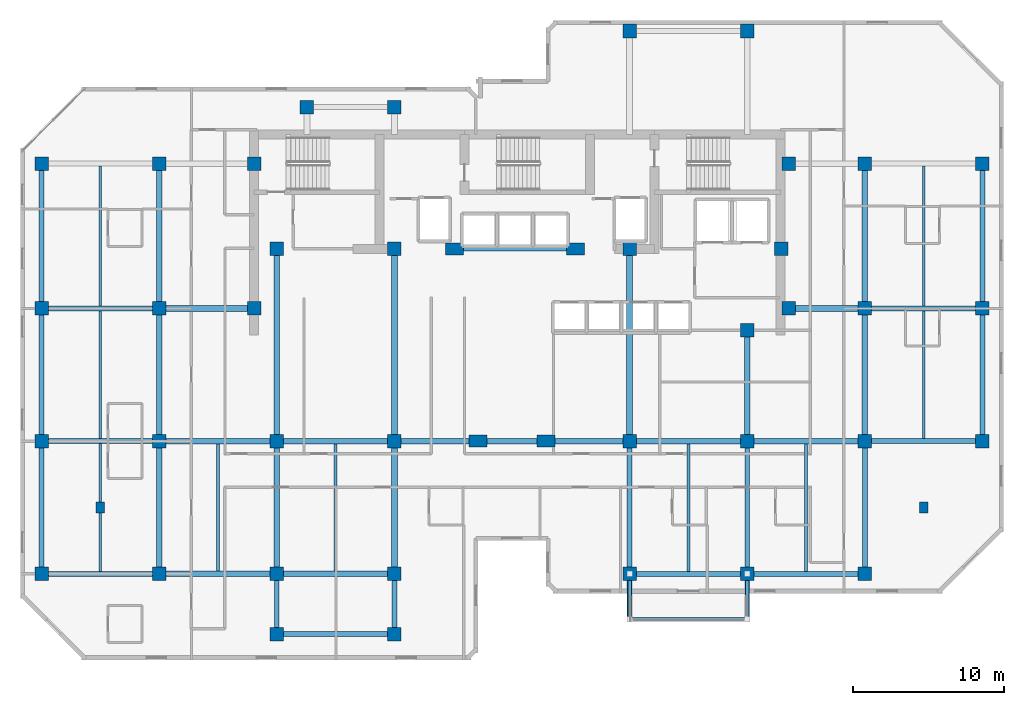
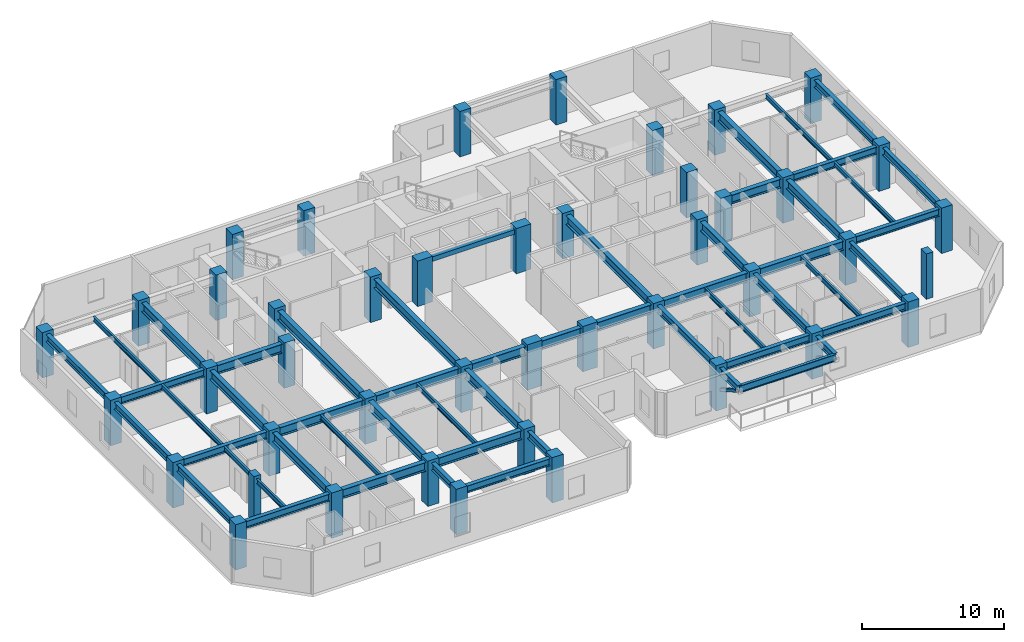
# One storey, part 1 of 11: 53 beams, 44 columns, 2 members.
"""IFC4 building model written with IfcOpenShell, lengths in metres."""

from ifc_helpers import new_model, si_unit, direction, frame, origin, origin_2d, place, context, subcontext, project, spatial, rectangle, hollow_rectangle, i_section, extrude, material, material_profile, profile_set, type_object, element, save


model = new_model("IFC4")

# Units and contexts
model_context = context("Model", 3, precision=1e-05, world=origin(), true_north=direction((0.0, 1.0)))
body_context = subcontext(model_context, "Body", "Model", "MODEL_VIEW")
ifc_project = project(units=[si_unit("LENGTHUNIT", "METRE"), si_unit("AREAUNIT", "SQUARE_METRE"), si_unit("VOLUMEUNIT", "CUBIC_METRE"), si_unit("PLANEANGLEUNIT", "RADIAN"), si_unit("MASSUNIT", "GRAM", prefix="KILO")], contexts=[model_context])

# Site, building, storey
site_placement = place(None, origin())
site = spatial("IfcSite", under=ifc_project, at=site_placement, CompositionType="ELEMENT")
building_placement = place(site_placement, origin())
building = spatial("IfcBuilding", under=site, at=building_placement, Name="Kestravale Grand Hotel", CompositionType="ELEMENT")
storey_placement = place(building_placement, frame((0.0, 0.0, 192.89990234375)))
storey = spatial("IfcBuildingStorey", under=building, at=storey_placement, Name="L48", CompositionType="ELEMENT", Elevation=192.89990234375)

# Columns
ifc_material_1 = material(Name="Concrete f'c 60 MPa", Category="concrete")
ifc_material_profile_1 = material_profile(ifc_material_1, rectangle(XDim=1.199951171875, YDim=0.800048828125, at=origin_2d()))
ifc_profile_set_1 = profile_set([ifc_material_profile_1], Name="Concrete f'c 60 MPa")
column_type_1 = type_object("IfcColumnType", Name="C-Z3-1200X800", PredefinedType="COLUMN", material=ifc_profile_set_1)
for number, where, z_axis, x_axis, name in (
    (1, (36.75, 20.0, 0.0), (0.0, 0.0, 1.0), (1.0, 0.0, 0.0), "L48 column 6-D"),
    (2, (41.25, 20.0, 0.0), (0.0, 0.0, 1.0), (1.0, 0.0, 0.0), "L48 column 7-D"),
    (3, (35.199951171875, 32.75, 0.0), (0.0, 0.0, 1.0), (1.0, 0.0, 0.0), "L48 column 6C-CS"),
    (4, (43.199951171875, 32.75, 0.0), (0.0, 0.0, 1.0), (1.0, 0.0, 0.0), "L48 column 7C-CS"),
):
    element("IfcColumn", number, at=place(storey_placement, frame(where, z_axis=z_axis, x_axis=x_axis)), inside=storey, type_object=column_type_1, Name=name, PredefinedType="COLUMN", context=body_context, shape_type="SweptSolid", body=[
        extrude(rectangle(XDim=1.199951171875, YDim=0.800048828125, at=origin_2d()), origin(), (0.0, 0.0, 1.0), 3.900146484375),
    ])
ifc_material_2 = material(Name="Precast concrete f'c 45 MPa", Category="concrete")
ifc_material_profile_2 = material_profile(ifc_material_2, rectangle(XDim=0.550048828125, YDim=0.75, at=origin_2d()))
ifc_profile_set_2 = profile_set([ifc_material_profile_2], Name="Precast concrete f'c 45 MPa")
column_type_2 = type_object("IfcColumnType", Name="C-Z3-PIL750", PredefinedType="PILASTER", material=ifc_profile_set_2)
for number, where, z_axis, x_axis, name in (
    (5, (11.699951171875, 15.60009765625, 0.0), (0.0, 0.0, 1.0), (1.0, 0.0, 0.0), "L48 Art Deco fluted pilaster P1"),
    (6, (66.300048828125, 15.60009765625, 0.0), (0.0, 0.0, 1.0), (1.0, 0.0, 0.0), "L48 Art Deco fluted pilaster P2"),
):
    element("IfcColumn", number, at=place(storey_placement, frame(where, z_axis=z_axis, x_axis=x_axis)), inside=storey, type_object=column_type_2, Name=name, PredefinedType="PILASTER", context=body_context, shape_type="SweptSolid", body=[
        extrude(rectangle(XDim=0.550048828125, YDim=0.75, at=origin_2d()), origin(), (0.0, 0.0, 1.0), 3.900146484375),
    ])
ifc_material_3 = material(Name="Concrete f'c 50 MPa", Category="concrete")
ifc_material_profile_3 = material_profile(ifc_material_3, rectangle(XDim=0.89990234375, YDim=0.89990234375, at=origin_2d()))
ifc_profile_set_3 = profile_set([ifc_material_profile_3], Name="Concrete f'c 50 MPa")
column_type_3 = type_object("IfcColumnType", Name="C-Z4-900", PredefinedType="COLUMN", material=ifc_profile_set_3)
for number, where, z_axis, x_axis, name in (
    (7, (7.800048828125, 11.199951171875, 0.0), (0.0, 0.0, 1.0), (1.0, 0.0, 0.0), "L48 column 2-C"),
    (8, (7.800048828125, 20.0, 0.0), (0.0, 0.0, 1.0), (1.0, 0.0, 0.0), "L48 column 2-D"),
    (9, (7.800048828125, 28.800048828125, 0.0), (0.0, 0.0, 1.0), (1.0, 0.0, 0.0), "L48 column 2-E"),
    (10, (7.800048828125, 38.39990234375, 0.0), (0.0, 0.0, 1.0), (1.0, 0.0, 0.0), "L48 column 2-F"),
    (11, (15.60009765625, 11.199951171875, 0.0), (0.0, 0.0, 1.0), (1.0, 0.0, 0.0), "L48 column 3-C"),
    (12, (15.60009765625, 20.0, 0.0), (0.0, 0.0, 1.0), (1.0, 0.0, 0.0), "L48 column 3-D"),
    (13, (15.60009765625, 28.800048828125, 0.0), (0.0, 0.0, 1.0), (1.0, 0.0, 0.0), "L48 column 3-E"),
    (14, (15.60009765625, 38.39990234375, 0.0), (0.0, 0.0, 1.0), (1.0, 0.0, 0.0), "L48 column 3-F"),
    (15, (23.39990234375, 11.199951171875, 0.0), (0.0, 0.0, 1.0), (1.0, 0.0, 0.0), "L48 column 4-C"),
    (16, (23.39990234375, 20.0, 0.0), (0.0, 0.0, 1.0), (1.0, 0.0, 0.0), "L48 column 4-D"),
    (17, (31.199951171875, 11.199951171875, 0.0), (0.0, 0.0, 1.0), (1.0, 0.0, 0.0), "L48 column 5-C"),
    (18, (31.199951171875, 20.0, 0.0), (0.0, 0.0, 1.0), (1.0, 0.0, 0.0), "L48 column 5-D"),
    (19, (46.800048828125, 11.199951171875, 0.0), (0.0, 0.0, 1.0), (1.0, 0.0, 0.0), "L48 column 8-C"),
    (20, (46.800048828125, 20.0, 0.0), (0.0, 0.0, 1.0), (1.0, 0.0, 0.0), "L48 column 8-D"),
    (21, (46.800048828125, 47.199951171875, 0.0), (0.0, 0.0, 1.0), (1.0, 0.0, 0.0), "L48 column 8-G"),
    (22, (54.60009765625, 11.199951171875, 0.0), (0.0, 0.0, 1.0), (1.0, 0.0, 0.0), "L48 column 9-C"),
    (23, (54.60009765625, 20.0, 0.0), (0.0, 0.0, 1.0), (1.0, 0.0, 0.0), "L48 column 9-D"),
    (24, (54.60009765625, 47.199951171875, 0.0), (0.0, 0.0, 1.0), (1.0, 0.0, 0.0), "L48 column 9-G"),
    (25, (62.39990234375, 11.199951171875, 0.0), (0.0, 0.0, 1.0), (1.0, 0.0, 0.0), "L48 column 10-C"),
    (26, (62.39990234375, 20.0, 0.0), (0.0, 0.0, 1.0), (1.0, 0.0, 0.0), "L48 column 10-D"),
    (27, (62.39990234375, 28.800048828125, 0.0), (0.0, 0.0, 1.0), (1.0, 0.0, 0.0), "L48 column 10-E"),
    (28, (62.39990234375, 38.39990234375, 0.0), (0.0, 0.0, 1.0), (1.0, 0.0, 0.0), "L48 column 10-F"),
    (29, (70.199951171875, 20.0, 0.0), (0.0, 0.0, 1.0), (1.0, 0.0, 0.0), "L48 column 11-D"),
    (30, (70.199951171875, 28.800048828125, 0.0), (0.0, 0.0, 1.0), (1.0, 0.0, 0.0), "L48 column 11-E"),
    (31, (70.199951171875, 38.39990234375, 0.0), (0.0, 0.0, 1.0), (1.0, 0.0, 0.0), "L48 column 11-F"),
    (32, (21.89990234375, 28.800048828125, 0.0), (0.0, 0.0, 1.0), (1.0, 0.0, 0.0), "L48 column CW-E"),
    (33, (21.89990234375, 38.39990234375, 0.0), (0.0, 0.0, 1.0), (1.0, 0.0, 0.0), "L48 column CW-F"),
    (34, (57.35009765625, 28.800048828125, 0.0), (0.0, 0.0, 1.0), (1.0, 0.0, 0.0), "L48 column CE-E"),
    (35, (57.35009765625, 38.39990234375, 0.0), (0.0, 0.0, 1.0), (1.0, 0.0, 0.0), "L48 column CE-F"),
    (36, (23.39990234375, 32.75, 0.0), (0.0, 0.0, 1.0), (1.0, 0.0, 0.0), "L48 column 4-CS"),
    (37, (31.199951171875, 32.75, 0.0), (0.0, 0.0, 1.0), (1.0, 0.0, 0.0), "L48 column 5-CS"),
    (38, (46.800048828125, 32.75, 0.0), (0.0, 0.0, 1.0), (1.0, 0.0, 0.0), "L48 column 8-CS"),
    (39, (54.60009765625, 27.35009765625, 0.0), (0.0, 0.0, 1.0), (1.0, 0.0, 0.0), "L48 column 9-CS"),
    (40, (56.85009765625, 32.75, 0.0), (0.0, 0.0, 1.0), (1.0, 0.0, 0.0), "L48 column 9C-CS"),
    (41, (23.39990234375, 7.199951171875, 0.0), (0.0, 0.0, 1.0), (1.0, 0.0, 0.0), "L48 column 4-BS"),
    (42, (31.199951171875, 7.199951171875, 0.0), (0.0, 0.0, 1.0), (1.0, 0.0, 0.0), "L48 column 5-BS"),
    (43, (25.39990234375, 42.14990234375, 0.0), (0.0, 0.0, 1.0), (1.0, 0.0, 0.0), "L48 column 4-FN"),
    (44, (31.199951171875, 42.14990234375, 0.0), (0.0, 0.0, 1.0), (1.0, 0.0, 0.0), "L48 column 5-FN"),
):
    element("IfcColumn", number, at=place(storey_placement, frame(where, z_axis=z_axis, x_axis=x_axis)), inside=storey, type_object=column_type_3, Name=name, PredefinedType="COLUMN", context=body_context, shape_type="SweptSolid", body=[
        extrude(rectangle(XDim=0.89990234375, YDim=0.89990234375, at=origin_2d()), origin(), (0.0, 0.0, 1.0), 3.900146484375),
    ])

# Beams
ifc_material_4 = material(Name="Steel ASTM A992 Grade 50", Category="steel")
ifc_material_profile_4 = material_profile(ifc_material_4, i_section(OverallWidth=0.177978515625, OverallDepth=0.404052734375, WebThickness=0.007568359375, FlangeThickness=0.010986328125, FilletRadius=0.01416015625, at=origin_2d()))
ifc_profile_set_4 = profile_set([ifc_material_profile_4], Name="Steel ASTM A992 Grade 50")
beam_type_1 = type_object("IfcBeamType", Name="B-FLR-JST16", PredefinedType="JOIST", material=ifc_profile_set_4)
for number, where, z_axis, x_axis, name in (
    (45, (11.699951171875, 11.362548828125, 3.447998046875), (0.0, 1.0, 0.0), (-1.0, 0.0, 0.0), "L48 floor joist 2-3/C-D #1"),
    (46, (11.699951171875, 20.16259765625, 3.447998046875), (0.0, 1.0, 0.0), (-1.0, 0.0, 0.0), "L48 floor joist 2-3/D-E #1"),
):
    element("IfcBeam", number, at=place(storey_placement, frame(where, z_axis=z_axis, x_axis=x_axis)), inside=storey, type_object=beam_type_1, Name=name, PredefinedType="JOIST", context=body_context, shape_type="SweptSolid", body=[
        extrude(i_section(OverallWidth=0.177978515625, OverallDepth=0.404052734375, WebThickness=0.007568359375, FlangeThickness=0.010986328125, FilletRadius=0.01416015625, at=origin_2d()), origin(), (0.0, 0.0, 1.0), 8.474853515625),
    ])
beam_1_placement = place(storey_placement, frame((11.699951171875, 28.96240234375, 3.447998046875), z_axis=(0.0, 1.0, 0.0), x_axis=(-1.0, 0.0, 0.0)))
element("IfcBeam", 47, at=beam_1_placement, inside=storey, type_object=beam_type_1, Name="L48 floor joist 2-3/E-F #1", PredefinedType="JOIST", context=body_context, shape_type="SweptSolid", body=[
    extrude(i_section(OverallWidth=0.177978515625, OverallDepth=0.404052734375, WebThickness=0.007568359375, FlangeThickness=0.010986328125, FilletRadius=0.01416015625, at=origin_2d()), origin(), (0.0, 0.0, 1.0), 9.275146484375),
])
for number, where, z_axis, x_axis, name in (
    (48, (19.5, 11.390380859375, 3.447998046875), (0.0, 1.0, 0.0), (-1.0, 0.0, 0.0), "L48 floor joist 3-4/C-D #1"),
    (49, (27.300048828125, 11.390380859375, 3.447998046875), (0.0, 1.0, 0.0), (-1.0, 0.0, 0.0), "L48 floor joist 4-5/C-D #1"),
):
    element("IfcBeam", number, at=place(storey_placement, frame(where, z_axis=z_axis, x_axis=x_axis)), inside=storey, type_object=beam_type_1, Name=name, PredefinedType="JOIST", context=body_context, shape_type="SweptSolid", body=[
        extrude(i_section(OverallWidth=0.177978515625, OverallDepth=0.404052734375, WebThickness=0.007568359375, FlangeThickness=0.010986328125, FilletRadius=0.01416015625, at=origin_2d()), origin(), (0.0, 0.0, 1.0), 8.419189453125),
    ])
for number, where, z_axis, x_axis, name in (
    (50, (50.699951171875, 11.362548828125, 3.447998046875), (0.0, 1.0, 0.0), (-1.0, 0.0, 0.0), "L48 floor joist 8-9/C-D #1"),
    (51, (58.5, 11.362548828125, 3.447998046875), (0.0, 1.0, 0.0), (-1.0, 0.0, 0.0), "L48 floor joist 9-10/C-D #1"),
):
    element("IfcBeam", number, at=place(storey_placement, frame(where, z_axis=z_axis, x_axis=x_axis)), inside=storey, type_object=beam_type_1, Name=name, PredefinedType="JOIST", context=body_context, shape_type="SweptSolid", body=[
        extrude(i_section(OverallWidth=0.177978515625, OverallDepth=0.404052734375, WebThickness=0.007568359375, FlangeThickness=0.010986328125, FilletRadius=0.01416015625, at=origin_2d()), origin(), (0.0, 0.0, 1.0), 8.447021484375),
    ])
beam_2_placement = place(storey_placement, frame((66.300048828125, 20.16259765625, 3.447998046875), z_axis=(0.0, 1.0, 0.0), x_axis=(-1.0, 0.0, 0.0)))
element("IfcBeam", 52, at=beam_2_placement, inside=storey, type_object=beam_type_1, Name="L48 floor joist 10-11/D-E #1", PredefinedType="JOIST", context=body_context, shape_type="SweptSolid", body=[
    extrude(i_section(OverallWidth=0.177978515625, OverallDepth=0.404052734375, WebThickness=0.007568359375, FlangeThickness=0.010986328125, FilletRadius=0.01416015625, at=origin_2d()), origin(), (0.0, 0.0, 1.0), 8.474853515625),
])
beam_3_placement = place(storey_placement, frame((66.300048828125, 28.96240234375, 3.447998046875), z_axis=(0.0, 1.0, 0.0), x_axis=(-1.0, 0.0, 0.0)))
element("IfcBeam", 53, at=beam_3_placement, inside=storey, type_object=beam_type_1, Name="L48 floor joist 10-11/E-F #1", PredefinedType="JOIST", context=body_context, shape_type="SweptSolid", body=[
    extrude(i_section(OverallWidth=0.177978515625, OverallDepth=0.404052734375, WebThickness=0.007568359375, FlangeThickness=0.010986328125, FilletRadius=0.01416015625, at=origin_2d()), origin(), (0.0, 0.0, 1.0), 9.275146484375),
])
ifc_material_5 = material(Name="Concrete f'c 45 MPa", Category="concrete")
ifc_material_profile_5 = material_profile(ifc_material_5, rectangle(XDim=0.300048828125, YDim=0.39990234375, at=origin_2d()))
ifc_profile_set_5 = profile_set([ifc_material_profile_5], Name="Concrete f'c 45 MPa")
beam_type_2 = type_object("IfcBeamType", Name="B-FLR-LNT400", PredefinedType="LINTEL", material=ifc_profile_set_5)
beam_4_placement = place(storey_placement, frame((35.199951171875, 32.75, 3.4501953125), z_axis=(1.0, 0.0, 0.0), x_axis=(0.0, 1.0, 0.0)))
element("IfcBeam", 54, at=beam_4_placement, inside=storey, type_object=beam_type_2, Name="L48 core portal header lintel", PredefinedType="LINTEL", context=body_context, shape_type="SweptSolid", body=[
    extrude(rectangle(XDim=0.300048828125, YDim=0.39990234375, at=origin_2d()), origin(), (0.0, 0.0, 1.0), 8.0),
])
ifc_material_6 = material(Name="Steel ASTM A992 Grade 50", Category="steel")
ifc_material_profile_6 = material_profile(ifc_material_6, i_section(OverallWidth=0.324951171875, OverallDepth=0.612060546875, WebThickness=0.0126953125, FlangeThickness=0.01904296875, FilletRadius=0.018798828125, at=origin_2d()))
ifc_profile_set_6 = profile_set([ifc_material_profile_6], Name="Steel ASTM A992 Grade 50")
beam_type_3 = type_object("IfcBeamType", Name="B-FLR-W24A", PredefinedType="SPANDREL", material=ifc_profile_set_6)
for number, where, z_axis, x_axis, name in (
    (55, (7.800048828125, 11.199951171875, 3.343994140625), (1.0, 0.0, 0.0), (0.0, 1.0, 0.0), "L48 spandrel C:2-3"),
    (56, (46.800048828125, 11.199951171875, 3.343994140625), (1.0, 0.0, 0.0), (0.0, 1.0, 0.0), "L48 spandrel C:8-9"),
):
    element("IfcBeam", number, at=place(storey_placement, frame(where, z_axis=z_axis, x_axis=x_axis)), inside=storey, type_object=beam_type_3, Name=name, PredefinedType="SPANDREL", context=body_context, shape_type="SweptSolid", body=[
        extrude(i_section(OverallWidth=0.324951171875, OverallDepth=0.612060546875, WebThickness=0.0126953125, FlangeThickness=0.01904296875, FilletRadius=0.018798828125, at=origin_2d()), origin(), (0.0, 0.0, 1.0), 7.800048828125),
    ])
beam_5_placement = place(storey_placement, frame((54.60009765625, 11.199951171875, 3.343994140625), z_axis=(1.0, 0.0, 0.0), x_axis=(0.0, 1.0, 0.0)))
element("IfcBeam", 57, at=beam_5_placement, inside=storey, type_object=beam_type_3, Name="L48 spandrel C:9-10", PredefinedType="SPANDREL", context=body_context, shape_type="SweptSolid", body=[
    extrude(i_section(OverallWidth=0.324951171875, OverallDepth=0.612060546875, WebThickness=0.0126953125, FlangeThickness=0.01904296875, FilletRadius=0.018798828125, at=origin_2d()), origin(), (0.0, 0.0, 1.0), 7.7998046875),
])
for number, where, z_axis, x_axis, name in (
    (58, (7.800048828125, 20.0, 3.343994140625), (1.0, 0.0, 0.0), (0.0, 1.0, 0.0), "L48 spandrel D:2-3"),
    (59, (62.39990234375, 20.0, 3.343994140625), (1.0, 0.0, 0.0), (0.0, 1.0, 0.0), "L48 spandrel D:10-11"),
    (60, (7.800048828125, 28.800048828125, 3.343994140625), (1.0, 0.0, 0.0), (0.0, 1.0, 0.0), "L48 spandrel E:2-3"),
    (61, (62.39990234375, 28.800048828125, 3.343994140625), (1.0, 0.0, 0.0), (0.0, 1.0, 0.0), "L48 spandrel E:10-11"),
    (62, (23.39990234375, 7.199951171875, 3.343994140625), (1.0, 0.0, 0.0), (0.0, 1.0, 0.0), "L48 perimeter tie spandrel BS:4-5"),
):
    element("IfcBeam", number, at=place(storey_placement, frame(where, z_axis=z_axis, x_axis=x_axis)), inside=storey, type_object=beam_type_3, Name=name, PredefinedType="SPANDREL", context=body_context, shape_type="SweptSolid", body=[
        extrude(i_section(OverallWidth=0.324951171875, OverallDepth=0.612060546875, WebThickness=0.0126953125, FlangeThickness=0.01904296875, FilletRadius=0.018798828125, at=origin_2d()), origin(), (0.0, 0.0, 1.0), 7.800048828125),
    ])
for number, where, z_axis, x_axis, name in (
    (63, (7.800048828125, 11.199951171875, 3.343994140625), (0.0, 1.0, 0.0), (-1.0, 0.0, 0.0), "L48 spandrel 2:C-D"),
    (64, (7.800048828125, 20.0, 3.343994140625), (0.0, 1.0, 0.0), (-1.0, 0.0, 0.0), "L48 spandrel 2:D-E"),
):
    element("IfcBeam", number, at=place(storey_placement, frame(where, z_axis=z_axis, x_axis=x_axis)), inside=storey, type_object=beam_type_3, Name=name, PredefinedType="SPANDREL", context=body_context, shape_type="SweptSolid", body=[
        extrude(i_section(OverallWidth=0.324951171875, OverallDepth=0.612060546875, WebThickness=0.0126953125, FlangeThickness=0.01904296875, FilletRadius=0.018798828125, at=origin_2d()), origin(), (0.0, 0.0, 1.0), 8.800048828125),
    ])
beam_6_placement = place(storey_placement, frame((7.800048828125, 28.800048828125, 3.343994140625), z_axis=(0.0, 1.0, 0.0), x_axis=(-1.0, 0.0, 0.0)))
element("IfcBeam", 65, at=beam_6_placement, inside=storey, type_object=beam_type_3, Name="L48 spandrel 2:E-F", PredefinedType="SPANDREL", context=body_context, shape_type="SweptSolid", body=[
    extrude(i_section(OverallWidth=0.324951171875, OverallDepth=0.612060546875, WebThickness=0.0126953125, FlangeThickness=0.01904296875, FilletRadius=0.018798828125, at=origin_2d()), origin(), (0.0, 0.0, 1.0), 9.599853515625),
])
for number, where, z_axis, x_axis, name in (
    (66, (23.39990234375, 7.199951171875, 3.343994140625), (0.0, 1.0, 0.0), (-1.0, 0.0, 0.0), "L48 spandrel 4:BS-C"),
    (67, (31.199951171875, 7.199951171875, 3.343994140625), (0.0, 1.0, 0.0), (-1.0, 0.0, 0.0), "L48 spandrel 5:BS-C"),
):
    element("IfcBeam", number, at=place(storey_placement, frame(where, z_axis=z_axis, x_axis=x_axis)), inside=storey, type_object=beam_type_3, Name=name, PredefinedType="SPANDREL", context=body_context, shape_type="SweptSolid", body=[
        extrude(i_section(OverallWidth=0.324951171875, OverallDepth=0.612060546875, WebThickness=0.0126953125, FlangeThickness=0.01904296875, FilletRadius=0.018798828125, at=origin_2d()), origin(), (0.0, 0.0, 1.0), 4.0),
    ])
for number, where, z_axis, x_axis, name in (
    (68, (46.800048828125, 11.199951171875, 3.343994140625), (0.0, 1.0, 0.0), (-1.0, 0.0, 0.0), "L48 spandrel 8:C-D"),
    (69, (54.60009765625, 11.199951171875, 3.343994140625), (0.0, 1.0, 0.0), (-1.0, 0.0, 0.0), "L48 spandrel 9:C-D"),
    (70, (62.39990234375, 11.199951171875, 3.343994140625), (0.0, 1.0, 0.0), (-1.0, 0.0, 0.0), "L48 spandrel 10:C-D"),
    (71, (70.199951171875, 20.0, 3.343994140625), (0.0, 1.0, 0.0), (-1.0, 0.0, 0.0), "L48 spandrel 11:D-E"),
):
    element("IfcBeam", number, at=place(storey_placement, frame(where, z_axis=z_axis, x_axis=x_axis)), inside=storey, type_object=beam_type_3, Name=name, PredefinedType="SPANDREL", context=body_context, shape_type="SweptSolid", body=[
        extrude(i_section(OverallWidth=0.324951171875, OverallDepth=0.612060546875, WebThickness=0.0126953125, FlangeThickness=0.01904296875, FilletRadius=0.018798828125, at=origin_2d()), origin(), (0.0, 0.0, 1.0), 8.800048828125),
    ])
beam_7_placement = place(storey_placement, frame((70.199951171875, 28.800048828125, 3.343994140625), z_axis=(0.0, 1.0, 0.0), x_axis=(-1.0, 0.0, 0.0)))
element("IfcBeam", 72, at=beam_7_placement, inside=storey, type_object=beam_type_3, Name="L48 spandrel 11:E-F", PredefinedType="SPANDREL", context=body_context, shape_type="SweptSolid", body=[
    extrude(i_section(OverallWidth=0.324951171875, OverallDepth=0.612060546875, WebThickness=0.0126953125, FlangeThickness=0.01904296875, FilletRadius=0.018798828125, at=origin_2d()), origin(), (0.0, 0.0, 1.0), 9.599853515625),
])
for number, where, z_axis, x_axis, name in (
    (73, (46.800048828125, 11.199951171875, 3.32421875), (0.0, -1.0, 0.0), (1.0, 0.0, 0.0), "L49 terrace cantilever beam 1"),
    (74, (54.60009765625, 11.199951171875, 3.32421875), (0.0, -1.0, 0.0), (1.0, 0.0, 0.0), "L49 terrace cantilever beam 2"),
):
    element("IfcBeam", number, at=place(storey_placement, frame(where, z_axis=z_axis, x_axis=x_axis)), inside=storey, type_object=beam_type_3, Name=name, PredefinedType="SPANDREL", context=body_context, shape_type="SweptSolid", body=[
        extrude(i_section(OverallWidth=0.324951171875, OverallDepth=0.612060546875, WebThickness=0.0126953125, FlangeThickness=0.01904296875, FilletRadius=0.018798828125, at=origin_2d()), origin(), (0.0, 0.0, 1.0), 3.0),
    ])
ifc_material_7 = material(Name="Steel ASTM A992 Grade 50", Category="steel")
ifc_material_profile_7 = material_profile(ifc_material_7, i_section(OverallWidth=0.22900390625, OverallDepth=0.612060546875, WebThickness=0.011962890625, FlangeThickness=0.01953125, FilletRadius=0.019287109375, at=origin_2d()))
ifc_profile_set_7 = profile_set([ifc_material_profile_7], Name="Steel ASTM A992 Grade 50")
beam_type_4 = type_object("IfcBeamType", Name="B-FLR-W24B", PredefinedType="SPANDREL", material=ifc_profile_set_7)
beam_8_placement = place(storey_placement, frame((46.800048828125, 8.199951171875, 3.32421875), z_axis=(1.0, 0.0, 0.0), x_axis=(0.0, 1.0, 0.0)))
element("IfcBeam", 75, at=beam_8_placement, inside=storey, type_object=beam_type_4, Name="L49 terrace edge spandrel", PredefinedType="SPANDREL", context=body_context, shape_type="SweptSolid", body=[
    extrude(i_section(OverallWidth=0.22900390625, OverallDepth=0.612060546875, WebThickness=0.011962890625, FlangeThickness=0.01953125, FilletRadius=0.019287109375, at=origin_2d()), origin(), (0.0, 0.0, 1.0), 7.800048828125),
])
ifc_material_8 = material(Name="Steel ASTM A992 Grade 50", Category="steel")
ifc_material_profile_8 = material_profile(ifc_material_8, i_section(OverallWidth=0.381103515625, OverallDepth=0.77197265625, WebThickness=0.0166015625, FlangeThickness=0.027099609375, FilletRadius=0.023681640625, at=origin_2d()))
ifc_profile_set_8 = profile_set([ifc_material_profile_8], Name="Steel ASTM A992 Grade 50")
beam_type_5 = type_object("IfcBeamType", Name="B-GRD-W30", PredefinedType="BEAM", material=ifc_profile_set_8)
beam_9_placement = place(storey_placement, frame((15.60009765625, 11.199951171875, 3.26416015625), z_axis=(1.0, 0.0, 0.0), x_axis=(0.0, 1.0, 0.0)))
element("IfcBeam", 76, at=beam_9_placement, inside=storey, type_object=beam_type_5, Name="L48 girder C:3-4", PredefinedType="BEAM", context=body_context, shape_type="SweptSolid", body=[
    extrude(i_section(OverallWidth=0.381103515625, OverallDepth=0.77197265625, WebThickness=0.0166015625, FlangeThickness=0.027099609375, FilletRadius=0.023681640625, at=origin_2d()), origin(), (0.0, 0.0, 1.0), 7.7998046875),
])
beam_10_placement = place(storey_placement, frame((23.39990234375, 11.199951171875, 3.26416015625), z_axis=(1.0, 0.0, 0.0), x_axis=(0.0, 1.0, 0.0)))
element("IfcBeam", 77, at=beam_10_placement, inside=storey, type_object=beam_type_5, Name="L48 girder C:4-5", PredefinedType="BEAM", context=body_context, shape_type="SweptSolid", body=[
    extrude(i_section(OverallWidth=0.381103515625, OverallDepth=0.77197265625, WebThickness=0.0166015625, FlangeThickness=0.027099609375, FilletRadius=0.023681640625, at=origin_2d()), origin(), (0.0, 0.0, 1.0), 7.800048828125),
])
beam_11_placement = place(storey_placement, frame((15.60009765625, 20.0, 3.26416015625), z_axis=(1.0, 0.0, 0.0), x_axis=(0.0, 1.0, 0.0)))
element("IfcBeam", 78, at=beam_11_placement, inside=storey, type_object=beam_type_5, Name="L48 girder D:3-4", PredefinedType="BEAM", context=body_context, shape_type="SweptSolid", body=[
    extrude(i_section(OverallWidth=0.381103515625, OverallDepth=0.77197265625, WebThickness=0.0166015625, FlangeThickness=0.027099609375, FilletRadius=0.023681640625, at=origin_2d()), origin(), (0.0, 0.0, 1.0), 7.7998046875),
])
beam_12_placement = place(storey_placement, frame((23.39990234375, 20.0, 3.26416015625), z_axis=(1.0, 0.0, 0.0), x_axis=(0.0, 1.0, 0.0)))
element("IfcBeam", 79, at=beam_12_placement, inside=storey, type_object=beam_type_5, Name="L48 girder D:4-5", PredefinedType="BEAM", context=body_context, shape_type="SweptSolid", body=[
    extrude(i_section(OverallWidth=0.381103515625, OverallDepth=0.77197265625, WebThickness=0.0166015625, FlangeThickness=0.027099609375, FilletRadius=0.023681640625, at=origin_2d()), origin(), (0.0, 0.0, 1.0), 7.800048828125),
])
beam_13_placement = place(storey_placement, frame((31.199951171875, 20.0, 3.26416015625), z_axis=(1.0, 0.0, 0.0), x_axis=(0.0, 1.0, 0.0)))
element("IfcBeam", 80, at=beam_13_placement, inside=storey, type_object=beam_type_5, Name="L48 girder D:5-6", PredefinedType="BEAM", context=body_context, shape_type="SweptSolid", body=[
    extrude(i_section(OverallWidth=0.381103515625, OverallDepth=0.77197265625, WebThickness=0.0166015625, FlangeThickness=0.027099609375, FilletRadius=0.023681640625, at=origin_2d()), origin(), (0.0, 0.0, 1.0), 5.550048828125),
])
beam_14_placement = place(storey_placement, frame((36.75, 20.0, 3.26416015625), z_axis=(1.0, 0.0, 0.0), x_axis=(0.0, 1.0, 0.0)))
element("IfcBeam", 81, at=beam_14_placement, inside=storey, type_object=beam_type_5, Name="L48 girder D:6-7", PredefinedType="BEAM", context=body_context, shape_type="SweptSolid", body=[
    extrude(i_section(OverallWidth=0.381103515625, OverallDepth=0.77197265625, WebThickness=0.0166015625, FlangeThickness=0.027099609375, FilletRadius=0.023681640625, at=origin_2d()), origin(), (0.0, 0.0, 1.0), 4.5),
])
beam_15_placement = place(storey_placement, frame((41.25, 20.0, 3.26416015625), z_axis=(1.0, 0.0, 0.0), x_axis=(0.0, 1.0, 0.0)))
element("IfcBeam", 82, at=beam_15_placement, inside=storey, type_object=beam_type_5, Name="L48 girder D:7-8", PredefinedType="BEAM", context=body_context, shape_type="SweptSolid", body=[
    extrude(i_section(OverallWidth=0.381103515625, OverallDepth=0.77197265625, WebThickness=0.0166015625, FlangeThickness=0.027099609375, FilletRadius=0.023681640625, at=origin_2d()), origin(), (0.0, 0.0, 1.0), 5.550048828125),
])
beam_16_placement = place(storey_placement, frame((46.800048828125, 20.0, 3.26416015625), z_axis=(1.0, 0.0, 0.0), x_axis=(0.0, 1.0, 0.0)))
element("IfcBeam", 83, at=beam_16_placement, inside=storey, type_object=beam_type_5, Name="L48 girder D:8-9", PredefinedType="BEAM", context=body_context, shape_type="SweptSolid", body=[
    extrude(i_section(OverallWidth=0.381103515625, OverallDepth=0.77197265625, WebThickness=0.0166015625, FlangeThickness=0.027099609375, FilletRadius=0.023681640625, at=origin_2d()), origin(), (0.0, 0.0, 1.0), 7.800048828125),
])
beam_17_placement = place(storey_placement, frame((54.60009765625, 20.0, 3.26416015625), z_axis=(1.0, 0.0, 0.0), x_axis=(0.0, 1.0, 0.0)))
element("IfcBeam", 84, at=beam_17_placement, inside=storey, type_object=beam_type_5, Name="L48 girder D:9-10", PredefinedType="BEAM", context=body_context, shape_type="SweptSolid", body=[
    extrude(i_section(OverallWidth=0.381103515625, OverallDepth=0.77197265625, WebThickness=0.0166015625, FlangeThickness=0.027099609375, FilletRadius=0.023681640625, at=origin_2d()), origin(), (0.0, 0.0, 1.0), 7.7998046875),
])
beam_18_placement = place(storey_placement, frame((15.60009765625, 28.800048828125, 3.26416015625), z_axis=(1.0, 0.0, 0.0), x_axis=(0.0, 1.0, 0.0)))
element("IfcBeam", 85, at=beam_18_placement, inside=storey, type_object=beam_type_5, Name="L48 girder E:3-CW", PredefinedType="BEAM", context=body_context, shape_type="SweptSolid", body=[
    extrude(i_section(OverallWidth=0.381103515625, OverallDepth=0.77197265625, WebThickness=0.0166015625, FlangeThickness=0.027099609375, FilletRadius=0.023681640625, at=origin_2d()), origin(), (0.0, 0.0, 1.0), 6.2998046875),
])
beam_19_placement = place(storey_placement, frame((57.35009765625, 28.800048828125, 3.26416015625), z_axis=(1.0, 0.0, 0.0), x_axis=(0.0, 1.0, 0.0)))
element("IfcBeam", 86, at=beam_19_placement, inside=storey, type_object=beam_type_5, Name="L48 girder E:CE-10", PredefinedType="BEAM", context=body_context, shape_type="SweptSolid", body=[
    extrude(i_section(OverallWidth=0.381103515625, OverallDepth=0.77197265625, WebThickness=0.0166015625, FlangeThickness=0.027099609375, FilletRadius=0.023681640625, at=origin_2d()), origin(), (0.0, 0.0, 1.0), 5.0498046875),
])
for number, where, z_axis, x_axis, name in (
    (87, (15.60009765625, 11.199951171875, 3.26416015625), (0.0, 1.0, 0.0), (-1.0, 0.0, 0.0), "L48 girder 3:C-D"),
    (88, (15.60009765625, 20.0, 3.26416015625), (0.0, 1.0, 0.0), (-1.0, 0.0, 0.0), "L48 girder 3:D-E"),
):
    element("IfcBeam", number, at=place(storey_placement, frame(where, z_axis=z_axis, x_axis=x_axis)), inside=storey, type_object=beam_type_5, Name=name, PredefinedType="BEAM", context=body_context, shape_type="SweptSolid", body=[
        extrude(i_section(OverallWidth=0.381103515625, OverallDepth=0.77197265625, WebThickness=0.0166015625, FlangeThickness=0.027099609375, FilletRadius=0.023681640625, at=origin_2d()), origin(), (0.0, 0.0, 1.0), 8.800048828125),
    ])
beam_20_placement = place(storey_placement, frame((15.60009765625, 28.800048828125, 3.26416015625), z_axis=(0.0, 1.0, 0.0), x_axis=(-1.0, 0.0, 0.0)))
element("IfcBeam", 89, at=beam_20_placement, inside=storey, type_object=beam_type_5, Name="L48 girder 3:E-F", PredefinedType="BEAM", context=body_context, shape_type="SweptSolid", body=[
    extrude(i_section(OverallWidth=0.381103515625, OverallDepth=0.77197265625, WebThickness=0.0166015625, FlangeThickness=0.027099609375, FilletRadius=0.023681640625, at=origin_2d()), origin(), (0.0, 0.0, 1.0), 9.599853515625),
])
beam_21_placement = place(storey_placement, frame((23.39990234375, 11.199951171875, 3.26416015625), z_axis=(0.0, 1.0, 0.0), x_axis=(-1.0, 0.0, 0.0)))
element("IfcBeam", 90, at=beam_21_placement, inside=storey, type_object=beam_type_5, Name="L48 girder 4:C-D", PredefinedType="BEAM", context=body_context, shape_type="SweptSolid", body=[
    extrude(i_section(OverallWidth=0.381103515625, OverallDepth=0.77197265625, WebThickness=0.0166015625, FlangeThickness=0.027099609375, FilletRadius=0.023681640625, at=origin_2d()), origin(), (0.0, 0.0, 1.0), 8.800048828125),
])
beam_22_placement = place(storey_placement, frame((23.39990234375, 20.0, 3.26416015625), z_axis=(0.0, 1.0, 0.0), x_axis=(-1.0, 0.0, 0.0)))
element("IfcBeam", 91, at=beam_22_placement, inside=storey, type_object=beam_type_5, Name="L48 girder 4:D-CS", PredefinedType="BEAM", context=body_context, shape_type="SweptSolid", body=[
    extrude(i_section(OverallWidth=0.381103515625, OverallDepth=0.77197265625, WebThickness=0.0166015625, FlangeThickness=0.027099609375, FilletRadius=0.023681640625, at=origin_2d()), origin(), (0.0, 0.0, 1.0), 12.75),
])
beam_23_placement = place(storey_placement, frame((31.199951171875, 11.199951171875, 3.26416015625), z_axis=(0.0, 1.0, 0.0), x_axis=(-1.0, 0.0, 0.0)))
element("IfcBeam", 92, at=beam_23_placement, inside=storey, type_object=beam_type_5, Name="L48 girder 5:C-D", PredefinedType="BEAM", context=body_context, shape_type="SweptSolid", body=[
    extrude(i_section(OverallWidth=0.381103515625, OverallDepth=0.77197265625, WebThickness=0.0166015625, FlangeThickness=0.027099609375, FilletRadius=0.023681640625, at=origin_2d()), origin(), (0.0, 0.0, 1.0), 8.800048828125),
])
for number, where, z_axis, x_axis, name in (
    (93, (31.199951171875, 20.0, 3.26416015625), (0.0, 1.0, 0.0), (-1.0, 0.0, 0.0), "L48 girder 5:D-CS"),
    (94, (46.800048828125, 20.0, 3.26416015625), (0.0, 1.0, 0.0), (-1.0, 0.0, 0.0), "L48 girder 8:D-CS"),
):
    element("IfcBeam", number, at=place(storey_placement, frame(where, z_axis=z_axis, x_axis=x_axis)), inside=storey, type_object=beam_type_5, Name=name, PredefinedType="BEAM", context=body_context, shape_type="SweptSolid", body=[
        extrude(i_section(OverallWidth=0.381103515625, OverallDepth=0.77197265625, WebThickness=0.0166015625, FlangeThickness=0.027099609375, FilletRadius=0.023681640625, at=origin_2d()), origin(), (0.0, 0.0, 1.0), 12.75),
    ])
beam_24_placement = place(storey_placement, frame((54.60009765625, 20.0, 3.26416015625), z_axis=(0.0, 1.0, 0.0), x_axis=(-1.0, 0.0, 0.0)))
element("IfcBeam", 95, at=beam_24_placement, inside=storey, type_object=beam_type_5, Name="L48 girder 9:D-CS", PredefinedType="BEAM", context=body_context, shape_type="SweptSolid", body=[
    extrude(i_section(OverallWidth=0.381103515625, OverallDepth=0.77197265625, WebThickness=0.0166015625, FlangeThickness=0.027099609375, FilletRadius=0.023681640625, at=origin_2d()), origin(), (0.0, 0.0, 1.0), 7.35009765625),
])
beam_25_placement = place(storey_placement, frame((62.39990234375, 20.0, 3.26416015625), z_axis=(0.0, 1.0, 0.0), x_axis=(-1.0, 0.0, 0.0)))
element("IfcBeam", 96, at=beam_25_placement, inside=storey, type_object=beam_type_5, Name="L48 girder 10:D-E", PredefinedType="BEAM", context=body_context, shape_type="SweptSolid", body=[
    extrude(i_section(OverallWidth=0.381103515625, OverallDepth=0.77197265625, WebThickness=0.0166015625, FlangeThickness=0.027099609375, FilletRadius=0.023681640625, at=origin_2d()), origin(), (0.0, 0.0, 1.0), 8.800048828125),
])
beam_26_placement = place(storey_placement, frame((62.39990234375, 28.800048828125, 3.26416015625), z_axis=(0.0, 1.0, 0.0), x_axis=(-1.0, 0.0, 0.0)))
element("IfcBeam", 97, at=beam_26_placement, inside=storey, type_object=beam_type_5, Name="L48 girder 10:E-F", PredefinedType="BEAM", context=body_context, shape_type="SweptSolid", body=[
    extrude(i_section(OverallWidth=0.381103515625, OverallDepth=0.77197265625, WebThickness=0.0166015625, FlangeThickness=0.027099609375, FilletRadius=0.023681640625, at=origin_2d()), origin(), (0.0, 0.0, 1.0), 9.599853515625),
])

# Members
ifc_material_9 = material(Name="Steel ASTM A500 Grade C", Category="steel")
ifc_material_profile_9 = material_profile(ifc_material_9, hollow_rectangle(XDim=0.25, YDim=0.25, WallThickness=0.011962890625, InnerFilletRadius=0.011962890625, OuterFilletRadius=0.02392578125, at=origin_2d()))
ifc_profile_set_9 = profile_set([ifc_material_profile_9], Name="Steel ASTM A500 Grade C")
member_type = type_object("IfcMemberType", Name="M-BLT-STR250", PredefinedType="STRUT", material=ifc_profile_set_9)
for number, where, z_axis, x_axis, name in (
    (98, (46.800048828125, 11.199951171875, 1.47412109375), (0.0, -0.870028259722, 0.493001853226), (1.0, 0.0, 0.0), "L49 terrace knee-brace strut 1"),
    (99, (54.60009765625, 11.199951171875, 1.47412109375), (0.0, -0.870028259722, 0.493001853226), (1.0, 0.0, 0.0), "L49 terrace knee-brace strut 2"),
):
    element("IfcMember", number, at=place(storey_placement, frame(where, z_axis=z_axis, x_axis=x_axis)), inside=storey, type_object=member_type, Name=name, PredefinedType="STRUT", context=body_context, shape_type="SweptSolid", body=[
        extrude(hollow_rectangle(XDim=0.25, YDim=0.25, WallThickness=0.011962890625, InnerFilletRadius=0.011962890625, OuterFilletRadius=0.02392578125, at=origin_2d()), origin(), (0.0, 0.0, 1.0), 3.4482421875),
    ])

save(model, "model.ifc")
